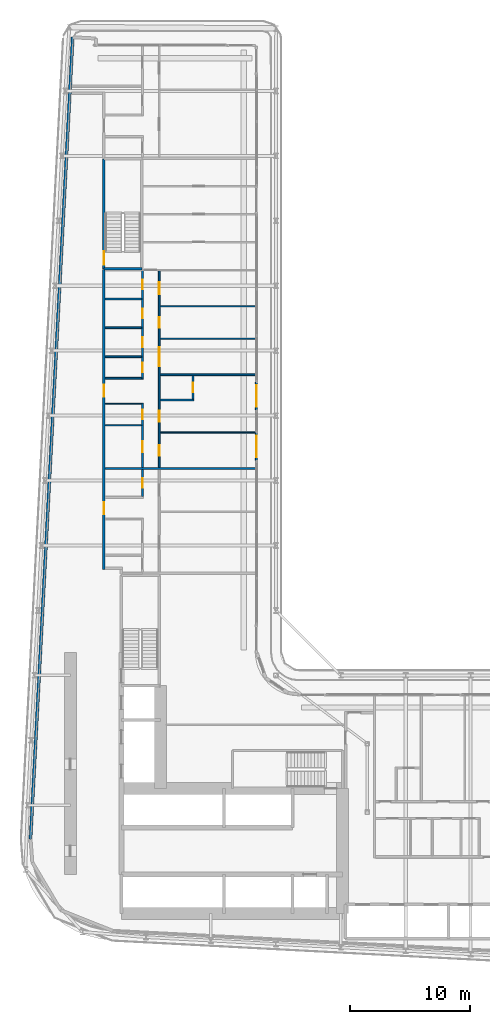
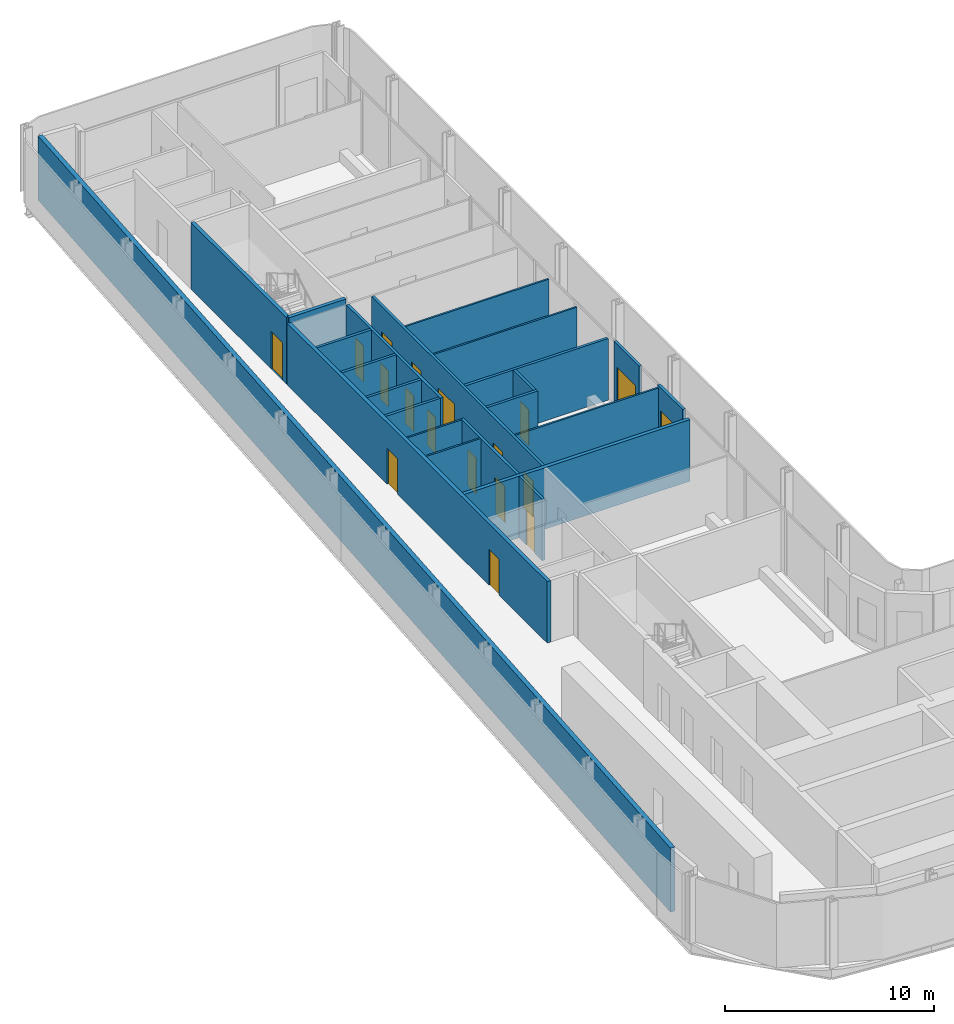
# One storey, part 17 of 28: 23 walls, 18 doors, 18 openings.
"""IFC4 building model written with IfcOpenShell, lengths in metres."""

from ifc_helpers import new_model, si_unit, direction, frame, frame_2d, origin, place, context, subcontext, project, spatial, rectangle, extrude, source, transform, mapped, material, layer, layer_set, type_object, element, fill, save


model = new_model("IFC4")

# Units and contexts
model_context = context("Model", 3, precision=1e-05, world=origin(), true_north=direction((0.0, 1.0)))
body_context = subcontext(model_context, "Body", "Model", "MODEL_VIEW")
ifc_project = project(units=[si_unit("LENGTHUNIT", "METRE"), si_unit("AREAUNIT", "SQUARE_METRE"), si_unit("VOLUMEUNIT", "CUBIC_METRE"), si_unit("PLANEANGLEUNIT", "RADIAN"), si_unit("MASSUNIT", "GRAM", prefix="KILO")], contexts=[model_context])

# Site, building, storey
site_placement = place(None, origin())
site = spatial("IfcSite", under=ifc_project, at=site_placement, CompositionType="ELEMENT")
building_placement = place(site_placement, origin())
building = spatial("IfcBuilding", under=site, at=building_placement, Name="Kheshtan School and Residences Tower", CompositionType="ELEMENT")
storey_placement = place(building_placement, frame((0.0, 0.0, 42.199951171875)))
storey = spatial("IfcBuildingStorey", under=building, at=storey_placement, Name="L09", CompositionType="ELEMENT", Elevation=42.199951171875)

# Wall, openings, doors
ifc_material_1 = material(Name="Gypsum board on steel studs with fire boards", Category="steel")
ifc_layer_1 = layer(ifc_material_1, 0.199951171875)
ifc_layer_set_1 = layer_set([ifc_layer_1], Name="Corridor wall 200")
wall_type_1 = type_object("IfcWallType", Name="Corridor wall 200", PredefinedType="PARTITIONING", material=ifc_layer_set_1)
wall_1_placement = place(storey_placement, frame((33.300048828125, 54.39990234375, 0.0), z_axis=(0.0, 0.0, 1.0), x_axis=(0.0, 1.0, 0.0)))
wall_1 = element("IfcWall", 1, at=wall_1_placement, inside=storey, type_object=wall_type_1, Name="Partition L09-003", PredefinedType="PARTITIONING", context=body_context, shape_type="SweptSolid", body=[
    extrude(rectangle(XDim=24.9501953125, YDim=0.199951171875, at=frame_2d((12.47509765625, 0.0))), origin(), (0.0, 0.0, 1.0), 3.60009765625),
])
opening_1_placement = place(wall_1_placement, frame((4.60009765625, 0.0, 0.0)))
opening_1 = element("IfcOpeningElement", 2, at=opening_1_placement, cuts=wall_1, Name="Opening D08-029", PredefinedType="OPENING", context=body_context, shape_type="SweptSolid", body=[
    extrude(rectangle(XDim=1.0, YDim=2.10009765625, at=frame_2d((0.5, 1.050048828125))), frame((0.0, 0.10986328125, 0.0), z_axis=(0.0, -1.0, 0.0), x_axis=(1.0, 0.0, 0.0)), (0.0, 0.0, 1.0), 0.219970703125),
])
opening_2_placement = place(wall_1_placement, frame((14.35009765625, 0.0, 0.0)))
opening_2 = element("IfcOpeningElement", 3, at=opening_2_placement, cuts=wall_1, Name="Opening D08-039", PredefinedType="OPENING", context=body_context, shape_type="SweptSolid", body=[
    extrude(rectangle(XDim=1.0, YDim=2.10009765625, at=frame_2d((0.5, 1.050048828125))), frame((0.0, 0.10986328125, 0.0), z_axis=(0.0, -1.0, 0.0), x_axis=(1.0, 0.0, 0.0)), (0.0, 0.0, 1.0), 0.219970703125),
])
ifc_material_2 = material(Name="Steel-framed fire-resisting door leaf", Category="steel")
door_type_1 = type_object("IfcDoorType", Name="Fire door FD30S 1000 x 2100", OperationType="SINGLE_SWING_LEFT", PredefinedType="DOOR", material=ifc_material_2)
shared_shape_1 = source(origin(), body_context, "Body", "SweptSolid", [
    extrude(rectangle(XDim=1.0, YDim=2.10009765625, at=frame_2d((0.5, 1.050048828125))), frame((0.0, 0.02490234375, 0.0), z_axis=(0.0, -1.0, 0.0), x_axis=(1.0, 0.0, 0.0)), (0.0, 0.0, 1.0), 0.050048828125),
])
door_1_placement = place(opening_1_placement, origin())
door_1 = element("IfcDoor", 4, at=door_1_placement, inside=storey, type_object=door_type_1, Name="Door D08-029", OperationType="SINGLE_SWING_LEFT", OverallHeight=2.10009765625, OverallWidth=1.0, PredefinedType="DOOR", context=body_context, shape_type="MappedRepresentation", body=[
    mapped(shared_shape_1, transform((0.0, 0.0, 0.0), x_axis=(1.0, 0.0, 0.0), y_axis=(0.0, 1.0, 0.0), z_axis=(0.0, 0.0, 1.0), scale=1.0)),
])
fill(opening_1, door_1)
door_2_placement = place(opening_2_placement, origin())
door_2 = element("IfcDoor", 5, at=door_2_placement, inside=storey, type_object=door_type_1, Name="Door D08-039", OperationType="SINGLE_SWING_LEFT", OverallHeight=2.10009765625, OverallWidth=1.0, PredefinedType="DOOR", context=body_context, shape_type="MappedRepresentation", body=[
    mapped(shared_shape_1, transform((0.0, 0.0, 0.0), x_axis=(1.0, 0.0, 0.0), y_axis=(0.0, 1.0, 0.0), z_axis=(0.0, 0.0, 1.0), scale=1.0)),
])
fill(opening_2, door_2)

# Wall
ifc_material_3 = material(Name="Concrete C40/50 with ceramic cladding and mineral wool insulation", Category="concrete")
ifc_layer_2 = layer(ifc_material_3, 0.25)
ifc_layer_set_2 = layer_set([ifc_layer_2], Name="External wall 250 ceramic clad")
wall_type_2 = type_object("IfcWallType", Name="External wall 250 ceramic clad", PredefinedType="SOLIDWALL", material=ifc_layer_set_2)
wall_2_placement = place(storey_placement, frame((27.195068359375, 31.968994140625, 0.0), z_axis=(0.0, 0.0, 1.0), x_axis=(0.052554995867, 0.998618031286, 0.0)))
element("IfcWall", 6, at=wall_2_placement, inside=storey, type_object=wall_type_2, Name="External wall L09 4", PredefinedType="SOLIDWALL", context=body_context, shape_type="SweptSolid", body=[
    extrude(rectangle(XDim=66.787353515625, YDim=0.25, at=frame_2d((33.3935546875, 0.0))), origin(), (0.0, 0.0, 1.0), 3.75),
])

# Wall, opening, door
ifc_material_4 = material(Name="Aluminium frame wall with insulated infill", Category="aluminium")
ifc_layer_3 = layer(ifc_material_4, 0.14990234375)
ifc_layer_set_3 = layer_set([ifc_layer_3], Name="Glazing frame wall 150")
wall_type_3 = type_object("IfcWallType", Name="Glazing frame wall 150", PredefinedType="SOLIDWALL", material=ifc_layer_set_3)
wall_3_placement = place(storey_placement, frame((45.97509765625, 70.01806640625, 0.0), z_axis=(0.0, 0.0, 1.0), x_axis=(0.0, -1.0, 0.0)))
wall_3 = element("IfcWall", 7, at=wall_3_placement, inside=storey, type_object=wall_type_3, Name="Balcony door wall L09 8.3", PredefinedType="SOLIDWALL", context=body_context, shape_type="SweptSolid", body=[
    extrude(rectangle(XDim=2.400146484375, YDim=0.14990234375, at=frame_2d((1.2001953125, 0.0))), origin(), (0.0, 0.0, 1.0), 3.75),
])
opening_3_placement = place(wall_3_placement, frame((0.300048828125, 0.0, 0.0)))
opening_3 = element("IfcOpeningElement", 8, at=opening_3_placement, cuts=wall_3, Name="Opening BD", PredefinedType="OPENING", context=body_context, shape_type="SweptSolid", body=[
    extrude(rectangle(XDim=1.800048828125, YDim=2.39990234375, at=frame_2d((0.89990234375, 1.199951171875))), frame((0.0, 0.0849609375, 0.0), z_axis=(0.0, -1.0, 0.0), x_axis=(1.0, 0.0, 0.0)), (0.0, 0.0, 1.0), 0.169921875),
])
ifc_material_5 = material(Name="Clear low-e glass in thermally broken aluminium frame", Category="aluminium")
door_type_2 = type_object("IfcDoorType", Name="Balcony sliding door", OperationType="SLIDING_TO_LEFT", PredefinedType="DOOR", material=ifc_material_5)
shared_shape_2 = source(origin(), body_context, "Body", "SweptSolid", [
    extrude(rectangle(XDim=1.800048828125, YDim=2.39990234375, at=frame_2d((0.89990234375, 1.199951171875))), frame((0.0, 0.02490234375, 0.0), z_axis=(0.0, -1.0, 0.0), x_axis=(1.0, 0.0, 0.0)), (0.0, 0.0, 1.0), 0.050048828125),
])
door_3_placement = place(opening_3_placement, origin())
door_3 = element("IfcDoor", 9, at=door_3_placement, inside=storey, type_object=door_type_2, Name="Balcony door L09 8.3", OperationType="SLIDING_TO_LEFT", OverallHeight=2.39990234375, OverallWidth=1.800048828125, PredefinedType="DOOR", context=body_context, shape_type="MappedRepresentation", body=[
    mapped(shared_shape_2, transform((0.0, 0.0, 0.0), x_axis=(1.0, 0.0, 0.0), y_axis=(0.0, 1.0, 0.0), z_axis=(0.0, 0.0, 1.0), scale=1.0)),
])
fill(opening_3, door_3)

wall_4_placement = place(storey_placement, frame((45.97509765625, 65.818115234375, 0.0), z_axis=(0.0, 0.0, 1.0), x_axis=(0.0, -1.0, 0.0)))
wall_4 = element("IfcWall", 10, at=wall_4_placement, inside=storey, type_object=wall_type_3, Name="Balcony door wall L09 8.4", PredefinedType="SOLIDWALL", context=body_context, shape_type="SweptSolid", body=[
    extrude(rectangle(XDim=2.400146484375, YDim=0.14990234375, at=frame_2d((1.2001953125, 0.0))), origin(), (0.0, 0.0, 1.0), 3.75),
])
opening_4_placement = place(wall_4_placement, frame((0.300048828125, 0.0, 0.0)))
opening_4 = element("IfcOpeningElement", 11, at=opening_4_placement, cuts=wall_4, Name="Opening BD", PredefinedType="OPENING", context=body_context, shape_type="SweptSolid", body=[
    extrude(rectangle(XDim=1.800048828125, YDim=2.39990234375, at=frame_2d((0.89990234375, 1.199951171875))), frame((0.0, 0.0849609375, 0.0), z_axis=(0.0, -1.0, 0.0), x_axis=(1.0, 0.0, 0.0)), (0.0, 0.0, 1.0), 0.169921875),
])
door_4_placement = place(opening_4_placement, origin())
door_4 = element("IfcDoor", 12, at=door_4_placement, inside=storey, type_object=door_type_2, Name="Balcony door L09 8.4", OperationType="SLIDING_TO_LEFT", OverallHeight=2.39990234375, OverallWidth=1.800048828125, PredefinedType="DOOR", context=body_context, shape_type="MappedRepresentation", body=[
    mapped(shared_shape_2, transform((0.0, 0.0, 0.0), x_axis=(1.0, 0.0, 0.0), y_axis=(0.0, 1.0, 0.0), z_axis=(0.0, 0.0, 1.0), scale=1.0)),
])
fill(opening_4, door_4)

# Walls
ifc_material_6 = material(Name="Gypsum board on steel studs", Category="steel")
ifc_layer_4 = layer(ifc_material_6, 0.10009765625)
ifc_layer_set_4 = layer_set([ifc_layer_4], Name="Gypsum partition 100")
wall_type_4 = type_object("IfcWallType", Name="Gypsum partition 100", PredefinedType="PARTITIONING", material=ifc_layer_set_4)
for number, where, z_axis, x_axis, name in (
    (13, (33.39990234375, 66.39990234375, 0.0), (0.0, 0.0, 1.0), (1.0, 0.0, 0.0), "Partition L09-010"),
    (14, (33.39990234375, 68.199951171875, 0.0), (0.0, 0.0, 1.0), (1.0, 0.0, 0.0), "Partition L09-011"),
):
    element("IfcWall", number, at=place(storey_placement, frame(where, z_axis=z_axis, x_axis=x_axis)), inside=storey, type_object=wall_type_4, Name=name, PredefinedType="PARTITIONING", context=body_context, shape_type="SweptSolid", body=[
        extrude(rectangle(XDim=3.025146484375, YDim=0.10009765625, at=frame_2d((1.5126953125, 0.0))), origin(), (0.0, 0.0, 1.0), 3.60009765625),
    ])
for number, where, z_axis, x_axis, name in (
    (15, (37.97509765625, 65.800048828125, 0.0), (0.0, 0.0, 1.0), (1.0, 0.0, 0.0), "Partition L09-037"),
    (16, (37.97509765625, 73.60009765625, 0.0), (0.0, 0.0, 1.0), (1.0, 0.0, 0.0), "Partition L09-040"),
    (17, (37.97509765625, 76.300048828125, 0.0), (0.0, 0.0, 1.0), (1.0, 0.0, 0.0), "Partition L09-041"),
):
    element("IfcWall", number, at=place(storey_placement, frame(where, z_axis=z_axis, x_axis=x_axis)), inside=storey, type_object=wall_type_4, Name=name, PredefinedType="PARTITIONING", context=body_context, shape_type="SweptSolid", body=[
        extrude(rectangle(XDim=7.9248046875, YDim=0.10009765625, at=frame_2d((3.96240234375, 0.0))), origin(), (0.0, 0.0, 1.0), 3.60009765625),
    ])
ifc_material_7 = material(Name="Concrete C40/50", Category="concrete")
ifc_layer_5 = layer(ifc_material_7, 0.199951171875)
ifc_layer_set_5 = layer_set([ifc_layer_5], Name="Stair enclosure wall 200 Concrete C40/50")
wall_type_5 = type_object("IfcWallType", Name="Stair enclosure wall 200 Concrete C40/50", PredefinedType="SHEAR", material=ifc_layer_set_5)
wall_5_placement = place(storey_placement, frame((33.300048828125, 79.39990234375, 0.0), z_axis=(0.0, 0.0, 1.0), x_axis=(1.0, 0.0, 0.0)))
element("IfcWall", 18, at=wall_5_placement, inside=storey, type_object=wall_type_5, Name="Stair enclosure wall ST3", PredefinedType="SHEAR", context=body_context, shape_type="SweptSolid", body=[
    extrude(rectangle(XDim=3.14990234375, YDim=0.199951171875, at=frame_2d((1.574951171875, 0.0))), origin(), (0.0, 0.0, 1.0), 3.900146484375),
])

# Wall, opening, door
wall_6_placement = place(storey_placement, frame((33.300048828125, 79.39990234375, 0.0), z_axis=(0.0, 0.0, 1.0), x_axis=(0.0, 1.0, 0.0)))
wall_6 = element("IfcWall", 19, at=wall_6_placement, inside=storey, type_object=wall_type_5, Name="Stair enclosure wall ST3", PredefinedType="SHEAR", context=body_context, shape_type="SweptSolid", body=[
    extrude(rectangle(XDim=9.16015625, YDim=0.199951171875, at=frame_2d((4.580078125, 0.0))), origin(), (0.0, 0.0, 1.0), 3.900146484375),
])
opening_5_placement = place(wall_6_placement, frame((0.35009765625, 0.0, 0.0)))
opening_5 = element("IfcOpeningElement", 20, at=opening_5_placement, cuts=wall_6, Name="Opening ST3D", PredefinedType="OPENING", context=body_context, shape_type="SweptSolid", body=[
    extrude(rectangle(XDim=1.10009765625, YDim=2.199951171875, at=frame_2d((0.550048828125, 1.10009765625))), frame((0.0, 0.10986328125, 0.0), z_axis=(0.0, -1.0, 0.0), x_axis=(1.0, 0.0, 0.0)), (0.0, 0.0, 1.0), 0.219970703125),
])
ifc_material_8 = material(Name="Steel door leaf, galvanised", Category="steel")
door_type_3 = type_object("IfcDoorType", Name="Stair door 1100 steel 90 min", OperationType="SINGLE_SWING_LEFT", PredefinedType="DOOR", material=ifc_material_8)
shared_shape_3 = source(origin(), body_context, "Body", "SweptSolid", [
    extrude(rectangle(XDim=1.10009765625, YDim=2.199951171875, at=frame_2d((0.550048828125, 1.10009765625))), frame((0.0, 0.02490234375, 0.0), z_axis=(0.0, -1.0, 0.0), x_axis=(1.0, 0.0, 0.0)), (0.0, 0.0, 1.0), 0.050048828125),
])
door_5_placement = place(opening_5_placement, origin())
door_5 = element("IfcDoor", 21, at=door_5_placement, inside=storey, type_object=door_type_3, Name="Stair ST3 door", OperationType="SINGLE_SWING_RIGHT", OverallHeight=2.199951171875, OverallWidth=1.10009765625, PredefinedType="DOOR", context=body_context, shape_type="MappedRepresentation", body=[
    mapped(shared_shape_3, transform((0.0, 0.0, 0.0), x_axis=(1.0, 0.0, 0.0), y_axis=(0.0, 1.0, 0.0), z_axis=(0.0, 0.0, 1.0), scale=1.0)),
])
fill(opening_5, door_5)

# Walls
ifc_material_9 = material(Name="Twin gypsum board on steel studs with mineral wool", Category="steel")
ifc_layer_6 = layer(ifc_material_9, 0.199951171875)
ifc_layer_set_6 = layer_set([ifc_layer_6], Name="Unit demising wall 200")
wall_type_6 = type_object("IfcWallType", Name="Unit demising wall 200", PredefinedType="PARTITIONING", material=ifc_layer_set_6)
wall_7_placement = place(storey_placement, frame((33.39990234375, 62.800048828125, 0.0), z_axis=(0.0, 0.0, 1.0), x_axis=(1.0, 0.0, 0.0)))
element("IfcWall", 22, at=wall_7_placement, inside=storey, type_object=wall_type_6, Name="Partition L09-009", PredefinedType="PARTITIONING", context=body_context, shape_type="SweptSolid", body=[
    extrude(rectangle(XDim=12.5, YDim=0.199951171875, at=frame_2d((6.25, 0.0))), origin(), (0.0, 0.0, 1.0), 3.60009765625),
])
ifc_material_10 = material(Name="Moisture-resistant gypsum board on steel studs", Category="steel")
ifc_layer_7 = layer(ifc_material_10, 0.14990234375)
ifc_layer_set_7 = layer_set([ifc_layer_7], Name="Wet-room partition 150")
wall_type_7 = type_object("IfcWallType", Name="Wet-room partition 150", PredefinedType="PARTITIONING", material=ifc_layer_set_7)
for number, where, z_axis, x_axis, name in (
    (23, (33.39990234375, 70.300048828125, 0.0), (0.0, 0.0, 1.0), (1.0, 0.0, 0.0), "Partition L09-012"),
    (24, (33.39990234375, 72.10009765625, 0.0), (0.0, 0.0, 1.0), (1.0, 0.0, 0.0), "Partition L09-013"),
    (25, (33.39990234375, 74.5, 0.0), (0.0, 0.0, 1.0), (1.0, 0.0, 0.0), "Partition L09-014"),
    (26, (33.39990234375, 76.89990234375, 0.0), (0.0, 0.0, 1.0), (1.0, 0.0, 0.0), "Partition L09-015"),
):
    element("IfcWall", number, at=place(storey_placement, frame(where, z_axis=z_axis, x_axis=x_axis)), inside=storey, type_object=wall_type_7, Name=name, PredefinedType="PARTITIONING", context=body_context, shape_type="SweptSolid", body=[
        extrude(rectangle(XDim=3.025146484375, YDim=0.14990234375, at=frame_2d((1.5126953125, 0.0))), origin(), (0.0, 0.0, 1.0), 3.60009765625),
    ])

# Wall, opening, door
wall_8_placement = place(storey_placement, frame((36.5, 60.47509765625, 0.0), z_axis=(0.0, 0.0, 1.0), x_axis=(0.0, 1.0, 0.0)))
wall_8 = element("IfcWall", 27, at=wall_8_placement, inside=storey, type_object=wall_type_7, Name="Partition L09-024", PredefinedType="PARTITIONING", context=body_context, shape_type="SweptSolid", body=[
    extrude(rectangle(XDim=2.224853515625, YDim=0.14990234375, at=frame_2d((1.1123046875, 0.0))), origin(), (0.0, 0.0, 1.0), 3.60009765625),
])
opening_6_placement = place(wall_8_placement, frame((0.72509765625, 0.0, 0.0)))
opening_6 = element("IfcOpeningElement", 28, at=opening_6_placement, cuts=wall_8, Name="Opening D08-027", PredefinedType="OPENING", context=body_context, shape_type="SweptSolid", body=[
    extrude(rectangle(XDim=0.800048828125, YDim=2.10009765625, at=frame_2d((0.39990234375, 1.050048828125))), frame((0.0, 0.0849609375, 0.0), z_axis=(0.0, -1.0, 0.0), x_axis=(1.0, 0.0, 0.0)), (0.0, 0.0, 1.0), 0.169921875),
])
ifc_material_11 = material(Name="Veneered timber door leaf", Category="wood")
door_type_4 = type_object("IfcDoorType", Name="Door 800 x 2100", OperationType="SINGLE_SWING_LEFT", PredefinedType="DOOR", material=ifc_material_11)
shared_shape_4 = source(origin(), body_context, "Body", "SweptSolid", [
    extrude(rectangle(XDim=0.800048828125, YDim=2.10009765625, at=frame_2d((0.39990234375, 1.050048828125))), frame((0.0, 0.02490234375, 0.0), z_axis=(0.0, -1.0, 0.0), x_axis=(1.0, 0.0, 0.0)), (0.0, 0.0, 1.0), 0.050048828125),
])
door_6_placement = place(opening_6_placement, origin())
door_6 = element("IfcDoor", 29, at=door_6_placement, inside=storey, type_object=door_type_4, Name="Door D08-027", OperationType="SINGLE_SWING_LEFT", OverallHeight=2.10009765625, OverallWidth=0.800048828125, PredefinedType="DOOR", context=body_context, shape_type="MappedRepresentation", body=[
    mapped(shared_shape_4, transform((0.0, 0.0, 0.0), x_axis=(1.0, 0.0, 0.0), y_axis=(0.0, 1.0, 0.0), z_axis=(0.0, 0.0, 1.0), scale=1.0)),
])
fill(opening_6, door_6)

# Wall, openings, doors
wall_9_placement = place(storey_placement, frame((36.5, 62.89990234375, 0.0), z_axis=(0.0, 0.0, 1.0), x_axis=(0.0, 1.0, 0.0)))
wall_9 = element("IfcWall", 30, at=wall_9_placement, inside=storey, type_object=wall_type_7, Name="Partition L09-025", PredefinedType="PARTITIONING", context=body_context, shape_type="SweptSolid", body=[
    extrude(rectangle(XDim=5.35009765625, YDim=0.14990234375, at=frame_2d((2.675048828125, 0.0))), origin(), (0.0, 0.0, 1.0), 3.60009765625),
])
opening_7_placement = place(wall_9_placement, frame((1.25, 0.0, 0.0)))
opening_7 = element("IfcOpeningElement", 31, at=opening_7_placement, cuts=wall_9, Name="Opening D08-040", PredefinedType="OPENING", context=body_context, shape_type="SweptSolid", body=[
    extrude(rectangle(XDim=0.89990234375, YDim=2.10009765625, at=frame_2d((0.449951171875, 1.050048828125))), frame((0.0, 0.0849609375, 0.0), z_axis=(0.0, -1.0, 0.0), x_axis=(1.0, 0.0, 0.0)), (0.0, 0.0, 1.0), 0.169921875),
])
opening_8_placement = place(wall_9_placement, frame((4.0, 0.0, 0.0)))
opening_8 = element("IfcOpeningElement", 32, at=opening_8_placement, cuts=wall_9, Name="Opening D08-044", PredefinedType="OPENING", context=body_context, shape_type="SweptSolid", body=[
    extrude(rectangle(XDim=0.800048828125, YDim=2.10009765625, at=frame_2d((0.39990234375, 1.050048828125))), frame((0.0, 0.0849609375, 0.0), z_axis=(0.0, -1.0, 0.0), x_axis=(1.0, 0.0, 0.0)), (0.0, 0.0, 1.0), 0.169921875),
])
door_7_placement = place(opening_8_placement, origin())
door_7 = element("IfcDoor", 33, at=door_7_placement, inside=storey, type_object=door_type_4, Name="Door D08-044", OperationType="SINGLE_SWING_RIGHT", OverallHeight=2.10009765625, OverallWidth=0.800048828125, PredefinedType="DOOR", context=body_context, shape_type="MappedRepresentation", body=[
    mapped(shared_shape_4, transform((0.0, 0.0, 0.0), x_axis=(1.0, 0.0, 0.0), y_axis=(0.0, 1.0, 0.0), z_axis=(0.0, 0.0, 1.0), scale=1.0)),
])
fill(opening_8, door_7)
door_type_5 = type_object("IfcDoorType", Name="Door 900 x 2100", OperationType="SINGLE_SWING_LEFT", PredefinedType="DOOR", material=ifc_material_11)
shared_shape_5 = source(origin(), body_context, "Body", "SweptSolid", [
    extrude(rectangle(XDim=0.89990234375, YDim=2.10009765625, at=frame_2d((0.449951171875, 1.050048828125))), frame((0.0, 0.02490234375, 0.0), z_axis=(0.0, -1.0, 0.0), x_axis=(1.0, 0.0, 0.0)), (0.0, 0.0, 1.0), 0.050048828125),
])
door_8_placement = place(opening_7_placement, origin())
door_8 = element("IfcDoor", 34, at=door_8_placement, inside=storey, type_object=door_type_5, Name="Door D08-040", OperationType="SINGLE_SWING_LEFT", OverallHeight=2.10009765625, OverallWidth=0.89990234375, PredefinedType="DOOR", context=body_context, shape_type="MappedRepresentation", body=[
    mapped(shared_shape_5, transform((0.0, 0.0, 0.0), x_axis=(1.0, 0.0, 0.0), y_axis=(0.0, 1.0, 0.0), z_axis=(0.0, 0.0, 1.0), scale=1.0)),
])
fill(opening_7, door_8)

wall_10_placement = place(storey_placement, frame((36.5, 70.22509765625, 0.0), z_axis=(0.0, 0.0, 1.0), x_axis=(0.0, 1.0, 0.0)))
wall_10 = element("IfcWall", 35, at=wall_10_placement, inside=storey, type_object=wall_type_7, Name="Partition L09-026", PredefinedType="PARTITIONING", context=body_context, shape_type="SweptSolid", body=[
    extrude(rectangle(XDim=9.02490234375, YDim=0.14990234375, at=frame_2d((4.512451171875, 0.0))), origin(), (0.0, 0.0, 1.0), 3.60009765625),
])
opening_9_placement = place(wall_10_placement, frame((2.675048828125, 0.0, 0.0)))
opening_9 = element("IfcOpeningElement", 36, at=opening_9_placement, cuts=wall_10, Name="Opening D08-033", PredefinedType="OPENING", context=body_context, shape_type="SweptSolid", body=[
    extrude(rectangle(XDim=0.800048828125, YDim=2.10009765625, at=frame_2d((0.39990234375, 1.050048828125))), frame((0.0, 0.0849609375, 0.0), z_axis=(0.0, -1.0, 0.0), x_axis=(1.0, 0.0, 0.0)), (0.0, 0.0, 1.0), 0.169921875),
])
opening_10_placement = place(wall_10_placement, frame((5.074951171875, 0.0, 0.0)))
opening_10 = element("IfcOpeningElement", 37, at=opening_10_placement, cuts=wall_10, Name="Opening D08-034", PredefinedType="OPENING", context=body_context, shape_type="SweptSolid", body=[
    extrude(rectangle(XDim=0.800048828125, YDim=2.10009765625, at=frame_2d((0.39990234375, 1.050048828125))), frame((0.0, 0.0849609375, 0.0), z_axis=(0.0, -1.0, 0.0), x_axis=(1.0, 0.0, 0.0)), (0.0, 0.0, 1.0), 0.169921875),
])
opening_11_placement = place(wall_10_placement, frame((7.47509765625, 0.0, 0.0)))
opening_11 = element("IfcOpeningElement", 38, at=opening_11_placement, cuts=wall_10, Name="Opening D08-037", PredefinedType="OPENING", context=body_context, shape_type="SweptSolid", body=[
    extrude(rectangle(XDim=0.800048828125, YDim=2.10009765625, at=frame_2d((0.39990234375, 1.050048828125))), frame((0.0, 0.0849609375, 0.0), z_axis=(0.0, -1.0, 0.0), x_axis=(1.0, 0.0, 0.0)), (0.0, 0.0, 1.0), 0.169921875),
])
opening_12_placement = place(wall_10_placement, frame((0.574951171875, 0.0, 0.0)))
opening_12 = element("IfcOpeningElement", 39, at=opening_12_placement, cuts=wall_10, Name="Opening D08-045", PredefinedType="OPENING", context=body_context, shape_type="SweptSolid", body=[
    extrude(rectangle(XDim=0.800048828125, YDim=2.10009765625, at=frame_2d((0.39990234375, 1.050048828125))), frame((0.0, 0.0849609375, 0.0), z_axis=(0.0, -1.0, 0.0), x_axis=(1.0, 0.0, 0.0)), (0.0, 0.0, 1.0), 0.169921875),
])
door_9_placement = place(opening_9_placement, origin())
door_9 = element("IfcDoor", 40, at=door_9_placement, inside=storey, type_object=door_type_4, Name="Door D08-033", OperationType="SINGLE_SWING_LEFT", OverallHeight=2.10009765625, OverallWidth=0.800048828125, PredefinedType="DOOR", context=body_context, shape_type="MappedRepresentation", body=[
    mapped(shared_shape_4, transform((0.0, 0.0, 0.0), x_axis=(1.0, 0.0, 0.0), y_axis=(0.0, 1.0, 0.0), z_axis=(0.0, 0.0, 1.0), scale=1.0)),
])
fill(opening_9, door_9)
door_10_placement = place(opening_10_placement, origin())
door_10 = element("IfcDoor", 41, at=door_10_placement, inside=storey, type_object=door_type_4, Name="Door D08-034", OperationType="SINGLE_SWING_LEFT", OverallHeight=2.10009765625, OverallWidth=0.800048828125, PredefinedType="DOOR", context=body_context, shape_type="MappedRepresentation", body=[
    mapped(shared_shape_4, transform((0.0, 0.0, 0.0), x_axis=(1.0, 0.0, 0.0), y_axis=(0.0, 1.0, 0.0), z_axis=(0.0, 0.0, 1.0), scale=1.0)),
])
fill(opening_10, door_10)
door_11_placement = place(opening_11_placement, origin())
door_11 = element("IfcDoor", 42, at=door_11_placement, inside=storey, type_object=door_type_4, Name="Door D08-037", OperationType="SINGLE_SWING_LEFT", OverallHeight=2.10009765625, OverallWidth=0.800048828125, PredefinedType="DOOR", context=body_context, shape_type="MappedRepresentation", body=[
    mapped(shared_shape_4, transform((0.0, 0.0, 0.0), x_axis=(1.0, 0.0, 0.0), y_axis=(0.0, 1.0, 0.0), z_axis=(0.0, 0.0, 1.0), scale=1.0)),
])
fill(opening_11, door_11)
door_12_placement = place(opening_12_placement, origin())
door_12 = element("IfcDoor", 43, at=door_12_placement, inside=storey, type_object=door_type_4, Name="Door D08-045", OperationType="SINGLE_SWING_RIGHT", OverallHeight=2.10009765625, OverallWidth=0.800048828125, PredefinedType="DOOR", context=body_context, shape_type="MappedRepresentation", body=[
    mapped(shared_shape_4, transform((0.0, 0.0, 0.0), x_axis=(1.0, 0.0, 0.0), y_axis=(0.0, 1.0, 0.0), z_axis=(0.0, 0.0, 1.0), scale=1.0)),
])
fill(opening_12, door_12)

wall_11_placement = place(storey_placement, frame((37.89990234375, 62.89990234375, 0.0), z_axis=(0.0, 0.0, 1.0), x_axis=(0.0, 1.0, 0.0)))
wall_11 = element("IfcWall", 44, at=wall_11_placement, inside=storey, type_object=wall_type_7, Name="Partition L09-033", PredefinedType="PARTITIONING", context=body_context, shape_type="SweptSolid", body=[
    extrude(rectangle(XDim=16.35009765625, YDim=0.14990234375, at=frame_2d((8.175048828125, 0.0))), origin(), (0.0, 0.0, 1.0), 3.60009765625),
])
opening_13_placement = place(wall_11_placement, frame((0.949951171875, 0.0, 0.0)))
opening_13 = element("IfcOpeningElement", 45, at=opening_13_placement, cuts=wall_11, Name="Opening D08-035", PredefinedType="OPENING", context=body_context, shape_type="SweptSolid", body=[
    extrude(rectangle(XDim=0.89990234375, YDim=2.10009765625, at=frame_2d((0.449951171875, 1.050048828125))), frame((0.0, 0.0849609375, 0.0), z_axis=(0.0, -1.0, 0.0), x_axis=(1.0, 0.0, 0.0)), (0.0, 0.0, 1.0), 0.169921875),
])
opening_14_placement = place(wall_11_placement, frame((11.60009765625, 0.0, 0.0)))
opening_14 = element("IfcOpeningElement", 46, at=opening_14_placement, cuts=wall_11, Name="Opening D08-036", PredefinedType="OPENING", context=body_context, shape_type="SweptSolid", body=[
    extrude(rectangle(XDim=0.89990234375, YDim=2.10009765625, at=frame_2d((0.449951171875, 1.050048828125))), frame((0.0, 0.0849609375, 0.0), z_axis=(0.0, -1.0, 0.0), x_axis=(1.0, 0.0, 0.0)), (0.0, 0.0, 1.0), 0.169921875),
])
opening_15_placement = place(wall_11_placement, frame((14.39990234375, 0.0, 0.0)))
opening_15 = element("IfcOpeningElement", 47, at=opening_15_placement, cuts=wall_11, Name="Opening D08-041", PredefinedType="OPENING", context=body_context, shape_type="SweptSolid", body=[
    extrude(rectangle(XDim=1.0, YDim=2.10009765625, at=frame_2d((0.5, 1.050048828125))), frame((0.0, 0.0849609375, 0.0), z_axis=(0.0, -1.0, 0.0), x_axis=(1.0, 0.0, 0.0)), (0.0, 0.0, 1.0), 0.169921875),
])
opening_16_placement = place(wall_11_placement, frame((8.39990234375, 0.0, 0.0)))
opening_16 = element("IfcOpeningElement", 48, at=opening_16_placement, cuts=wall_11, Name="Opening D08-042", PredefinedType="OPENING", context=body_context, shape_type="SweptSolid", body=[
    extrude(rectangle(XDim=1.60009765625, YDim=2.10009765625, at=frame_2d((0.800048828125, 1.050048828125))), frame((0.0, 0.0849609375, 0.0), z_axis=(0.0, -1.0, 0.0), x_axis=(1.0, 0.0, 0.0)), (0.0, 0.0, 1.0), 0.169921875),
])
opening_17_placement = place(wall_11_placement, frame((3.800048828125, 0.0, 0.0)))
opening_17 = element("IfcOpeningElement", 49, at=opening_17_placement, cuts=wall_11, Name="Opening D08-043", PredefinedType="OPENING", context=body_context, shape_type="SweptSolid", body=[
    extrude(rectangle(XDim=0.89990234375, YDim=2.10009765625, at=frame_2d((0.449951171875, 1.050048828125))), frame((0.0, 0.0849609375, 0.0), z_axis=(0.0, -1.0, 0.0), x_axis=(1.0, 0.0, 0.0)), (0.0, 0.0, 1.0), 0.169921875),
])
door_type_6 = type_object("IfcDoorType", Name="Door 1000 x 2100", OperationType="SINGLE_SWING_LEFT", PredefinedType="DOOR", material=ifc_material_11)
shared_shape_6 = source(origin(), body_context, "Body", "SweptSolid", [
    extrude(rectangle(XDim=1.0, YDim=2.10009765625, at=frame_2d((0.5, 1.050048828125))), frame((0.0, 0.02490234375, 0.0), z_axis=(0.0, -1.0, 0.0), x_axis=(1.0, 0.0, 0.0)), (0.0, 0.0, 1.0), 0.050048828125),
])
door_13_placement = place(opening_15_placement, origin())
door_13 = element("IfcDoor", 50, at=door_13_placement, inside=storey, type_object=door_type_6, Name="Door D08-041", OperationType="SINGLE_SWING_LEFT", OverallHeight=2.10009765625, OverallWidth=1.0, PredefinedType="DOOR", context=body_context, shape_type="MappedRepresentation", body=[
    mapped(shared_shape_6, transform((0.0, 0.0, 0.0), x_axis=(1.0, 0.0, 0.0), y_axis=(0.0, 1.0, 0.0), z_axis=(0.0, 0.0, 1.0), scale=1.0)),
])
fill(opening_15, door_13)
door_14_placement = place(opening_13_placement, origin())
door_14 = element("IfcDoor", 51, at=door_14_placement, inside=storey, type_object=door_type_5, Name="Door D08-035", OperationType="SINGLE_SWING_LEFT", OverallHeight=2.10009765625, OverallWidth=0.89990234375, PredefinedType="DOOR", context=body_context, shape_type="MappedRepresentation", body=[
    mapped(shared_shape_5, transform((0.0, 0.0, 0.0), x_axis=(1.0, 0.0, 0.0), y_axis=(0.0, 1.0, 0.0), z_axis=(0.0, 0.0, 1.0), scale=1.0)),
])
fill(opening_13, door_14)
door_15_placement = place(opening_14_placement, origin())
door_15 = element("IfcDoor", 52, at=door_15_placement, inside=storey, type_object=door_type_5, Name="Door D08-036", OperationType="SINGLE_SWING_LEFT", OverallHeight=2.10009765625, OverallWidth=0.89990234375, PredefinedType="DOOR", context=body_context, shape_type="MappedRepresentation", body=[
    mapped(shared_shape_5, transform((0.0, 0.0, 0.0), x_axis=(1.0, 0.0, 0.0), y_axis=(0.0, 1.0, 0.0), z_axis=(0.0, 0.0, 1.0), scale=1.0)),
])
fill(opening_14, door_15)
door_16_placement = place(opening_17_placement, origin())
door_16 = element("IfcDoor", 53, at=door_16_placement, inside=storey, type_object=door_type_5, Name="Door D08-043", OperationType="SINGLE_SWING_RIGHT", OverallHeight=2.10009765625, OverallWidth=0.89990234375, PredefinedType="DOOR", context=body_context, shape_type="MappedRepresentation", body=[
    mapped(shared_shape_5, transform((0.0, 0.0, 0.0), x_axis=(1.0, 0.0, 0.0), y_axis=(0.0, 1.0, 0.0), z_axis=(0.0, 0.0, 1.0), scale=1.0)),
])
fill(opening_17, door_16)
door_type_7 = type_object("IfcDoorType", Name="Double door 1600 x 2100", OperationType="DOUBLE_DOOR_SINGLE_SWING", PredefinedType="DOOR", material=ifc_material_11)
shared_shape_7 = source(origin(), body_context, "Body", "SweptSolid", [
    extrude(rectangle(XDim=1.60009765625, YDim=2.10009765625, at=frame_2d((0.800048828125, 1.050048828125))), frame((0.0, 0.02490234375, 0.0), z_axis=(0.0, -1.0, 0.0), x_axis=(1.0, 0.0, 0.0)), (0.0, 0.0, 1.0), 0.050048828125),
])
door_17_placement = place(opening_16_placement, origin())
door_17 = element("IfcDoor", 54, at=door_17_placement, inside=storey, type_object=door_type_7, Name="Door D08-042", OperationType="DOUBLE_DOOR_SINGLE_SWING", OverallHeight=2.10009765625, OverallWidth=1.60009765625, PredefinedType="DOOR", context=body_context, shape_type="MappedRepresentation", body=[
    mapped(shared_shape_7, transform((0.0, 0.0, 0.0), x_axis=(1.0, 0.0, 0.0), y_axis=(0.0, 1.0, 0.0), z_axis=(0.0, 0.0, 1.0), scale=1.0)),
])
fill(opening_16, door_17)

# Walls
wall_12_placement = place(storey_placement, frame((37.97509765625, 68.5, 0.0), z_axis=(0.0, 0.0, 1.0), x_axis=(1.0, 0.0, 0.0)))
element("IfcWall", 55, at=wall_12_placement, inside=storey, type_object=wall_type_7, Name="Partition L09-038", PredefinedType="PARTITIONING", context=body_context, shape_type="SweptSolid", body=[
    extrude(rectangle(XDim=2.7998046875, YDim=0.14990234375, at=frame_2d((1.39990234375, 0.0))), origin(), (0.0, 0.0, 1.0), 3.60009765625),
])
wall_13_placement = place(storey_placement, frame((37.97509765625, 70.60009765625, 0.0), z_axis=(0.0, 0.0, 1.0), x_axis=(1.0, 0.0, 0.0)))
element("IfcWall", 56, at=wall_13_placement, inside=storey, type_object=wall_type_7, Name="Partition L09-039", PredefinedType="PARTITIONING", context=body_context, shape_type="SweptSolid", body=[
    extrude(rectangle(XDim=7.9248046875, YDim=0.14990234375, at=frame_2d((3.96240234375, 0.0))), origin(), (0.0, 0.0, 1.0), 3.60009765625),
])

# Wall, opening, door
wall_14_placement = place(storey_placement, frame((40.699951171875, 68.574951171875, 0.0), z_axis=(0.0, 0.0, 1.0), x_axis=(0.0, 1.0, 0.0)))
wall_14 = element("IfcWall", 57, at=wall_14_placement, inside=storey, type_object=wall_type_7, Name="Partition L09-043", PredefinedType="PARTITIONING", context=body_context, shape_type="SweptSolid", body=[
    extrude(rectangle(XDim=1.949951171875, YDim=0.14990234375, at=frame_2d((0.97509765625, 0.0))), origin(), (0.0, 0.0, 1.0), 3.60009765625),
])
opening_18_placement = place(wall_14_placement, frame((0.574951171875, 0.0, 0.0)))
opening_18 = element("IfcOpeningElement", 58, at=opening_18_placement, cuts=wall_14, Name="Opening D08-038", PredefinedType="OPENING", context=body_context, shape_type="SweptSolid", body=[
    extrude(rectangle(XDim=0.800048828125, YDim=2.10009765625, at=frame_2d((0.39990234375, 1.050048828125))), frame((0.0, 0.0849609375, 0.0), z_axis=(0.0, -1.0, 0.0), x_axis=(1.0, 0.0, 0.0)), (0.0, 0.0, 1.0), 0.169921875),
])
door_18_placement = place(opening_18_placement, origin())
door_18 = element("IfcDoor", 59, at=door_18_placement, inside=storey, type_object=door_type_4, Name="Door D08-038", OperationType="SINGLE_SWING_RIGHT", OverallHeight=2.10009765625, OverallWidth=0.800048828125, PredefinedType="DOOR", context=body_context, shape_type="MappedRepresentation", body=[
    mapped(shared_shape_4, transform((0.0, 0.0, 0.0), x_axis=(1.0, 0.0, 0.0), y_axis=(0.0, 1.0, 0.0), z_axis=(0.0, 0.0, 1.0), scale=1.0)),
])
fill(opening_18, door_18)

save(model, "model.ifc")
